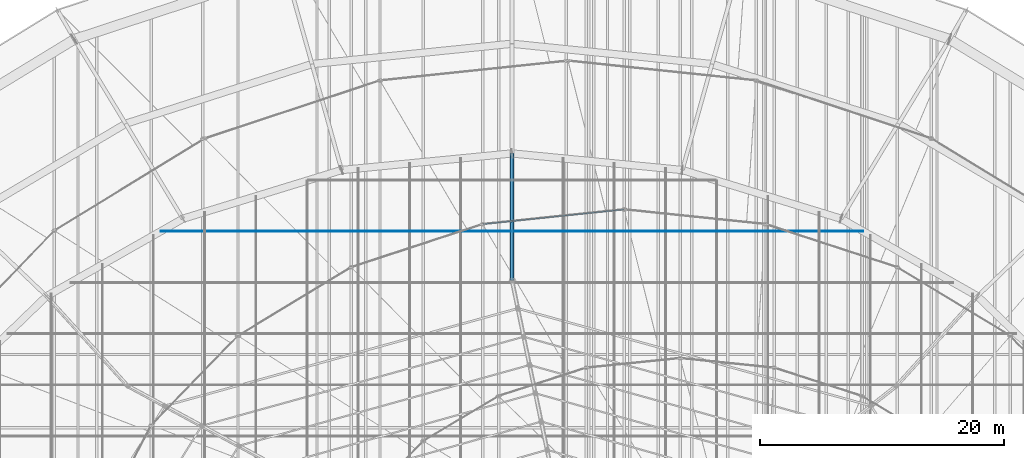
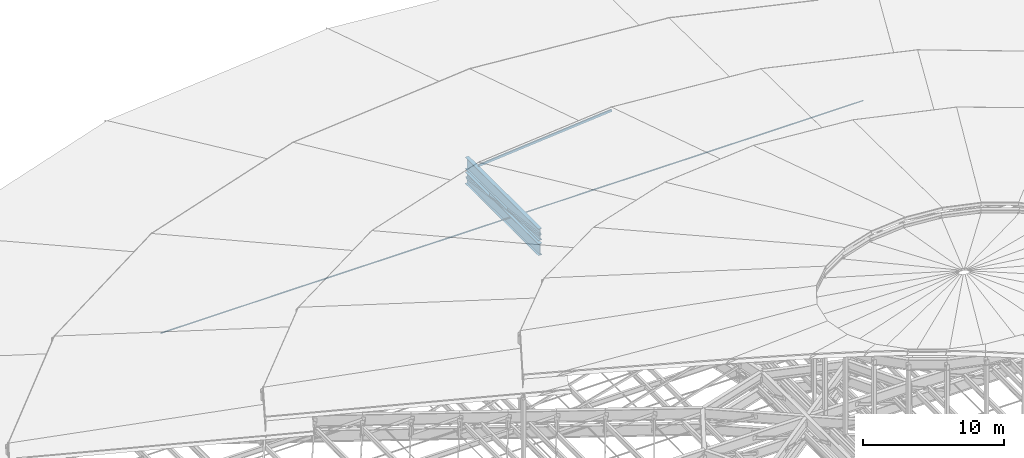
# One storey, part 117 of 184: 3 members, 2 beams.
"""IFC4 building model written with IfcOpenShell, lengths in metres."""

from ifc_helpers import new_model, si_unit, direction, frame, origin, origin_2d, place, context, subcontext, project, spatial, hollow_rectangle, circle, i_section, extrude, material, material_profile, profile_set, type_object, element, save


model = new_model("IFC4")

# Units and contexts
model_context = context("Model", 3, precision=1e-05, world=origin(), true_north=direction((0.0, 1.0)))
body_context = subcontext(model_context, "Body", "Model", "MODEL_VIEW")
ifc_project = project(units=[si_unit("LENGTHUNIT", "METRE"), si_unit("AREAUNIT", "SQUARE_METRE"), si_unit("VOLUMEUNIT", "CUBIC_METRE"), si_unit("PLANEANGLEUNIT", "RADIAN"), si_unit("MASSUNIT", "GRAM", prefix="KILO")], contexts=[model_context])

# Site, building, storey
site_placement = place(None, origin())
site = spatial("IfcSite", under=ifc_project, at=site_placement, CompositionType="ELEMENT")
building_placement = place(site_placement, origin())
building = spatial("IfcBuilding", under=site, at=building_placement, Name="Kalgoora Escarpment Arena", CompositionType="ELEMENT")
storey_placement = place(building_placement, frame((0.0, 0.0, 27.60009765625)))
storey = spatial("IfcBuildingStorey", under=building, at=storey_placement, Name="Roof Level", CompositionType="ELEMENT", Elevation=27.60009765625)

# Beams
ifc_material_1 = material(Name="Structural steel Grade 350 (350 MPa)", Category="steel")
ifc_material_profile_1 = material_profile(ifc_material_1, i_section(OverallWidth=0.300048828125, OverallDepth=1.010009765625, WebThickness=0.01611328125, FlangeThickness=0.030029296875, at=origin_2d()))
ifc_profile_set_1 = profile_set([ifc_material_profile_1], Name="Structural steel Grade 350 (350 MPa)")
beam_type = type_object("IfcBeamType", Name="BM-TRUSS-CHORD", PredefinedType="USERDEFINED", material=ifc_profile_set_1)
for number, where, z_axis, x_axis, name in (
    (1, (92.39990234375, 104.011962890625, -1.7001953125), (0.0, -0.999988474083, 0.004801218755), (1.0, 0.0, 0.0), "Radial ROOF TRUSS spine 3 bottom chord 1"),
    (2, (92.39990234375, 104.011962890625, -0.400146484375), (0.0, -0.999988474083, 0.004801218755), (1.0, 0.0, 0.0), "Radial ROOF TRUSS spine 3 top chord 1"),
):
    element("IfcBeam", number, at=place(storey_placement, frame(where, z_axis=z_axis, x_axis=x_axis)), inside=storey, type_object=beam_type, Name=name, ObjectType="GIRDER", PredefinedType="USERDEFINED", context=body_context, shape_type="SweptSolid", body=[
        extrude(i_section(OverallWidth=0.300048828125, OverallDepth=1.010009765625, WebThickness=0.01611328125, FlangeThickness=0.030029296875, at=origin_2d()), origin(), (0.0, 0.0, 1.0), 10.424072265625),
    ])

# Members
ifc_material_2 = material(Name="High-tensile spiral strand steel Grade 450 (350 MPa)", Category="steel")
ifc_material_profile_2 = material_profile(ifc_material_2, circle(Radius=0.035888671875, at=origin_2d()))
ifc_profile_set_2 = profile_set([ifc_material_profile_2], Name="High-tensile spiral strand steel Grade 450 (350 MPa)")
member_type_1 = type_object("IfcMemberType", Name="MEM-CABLE-72", PredefinedType="USERDEFINED", material=ifc_profile_set_2)
member_1_placement = place(storey_placement, frame((63.568603515625, 97.60009765625, -1.25), z_axis=(1.0, 0.0, 0.0), x_axis=(0.0, 1.0, 0.0)))
element("IfcMember", 3, at=member_1_placement, inside=storey, type_object=member_type_1, Name="Roof saddle hanging cable X-17", ObjectType="CABLE", PredefinedType="USERDEFINED", context=body_context, shape_type="SweptSolid", body=[
    extrude(circle(Radius=0.035888671875, at=origin_2d()), origin(), (0.0, 0.0, 1.0), 57.662841796875),
])
ifc_material_3 = material(Name="Structural steel C350 (350 MPa)", Category="steel")
ifc_material_profile_3 = material_profile(ifc_material_3, hollow_rectangle(XDim=0.10009765625, YDim=0.199951171875, WallThickness=0.009033203125, at=origin_2d()))
ifc_profile_set_3 = profile_set([ifc_material_profile_3], Name="Structural steel C350 (350 MPa)")
member_type_2 = type_object("IfcMemberType", Name="MEM-PURLIN-RHS", PredefinedType="PURLIN", material=ifc_profile_set_3)
member_2_placement = place(storey_placement, frame((101.60009765625, 99.39990234375, 3.684814453125), z_axis=(-0.994634133376, -0.103455017873, 0.0), x_axis=(0.103455017873, -0.994634133376, 0.0)))
element("IfcMember", 4, at=member_2_placement, inside=storey, type_object=member_type_2, Name="Petal RP3 eave support ring purlin S07", PredefinedType="PURLIN", context=body_context, shape_type="SweptSolid", body=[
    extrude(hollow_rectangle(XDim=0.10009765625, YDim=0.199951171875, WallThickness=0.009033203125, at=origin_2d()), origin(), (0.0, 0.0, 1.0), 11.65771484375),
])
ifc_material_4 = material(Name="Structural steel C350 (350 MPa)", Category="steel")
ifc_material_profile_4 = material_profile(ifc_material_4, hollow_rectangle(XDim=0.199951171875, YDim=0.199951171875, WallThickness=0.009033203125, at=origin_2d()))
ifc_profile_set_4 = profile_set([ifc_material_profile_4], Name="Structural steel C350 (350 MPa)")
member_type_3 = type_object("IfcMemberType", Name="MEM-TRUSS-DIAG", PredefinedType="BRACE", material=ifc_profile_set_4)
member_3_placement = place(storey_placement, frame((92.39990234375, 104.0, -1.7001953125), z_axis=(0.0, -0.991678636491, 0.128738036053), x_axis=(0.141419587774, -0.12744418613, -0.981712014603)))
element("IfcMember", 5, at=member_3_placement, inside=storey, type_object=member_type_3, Name="Radial ROOF TRUSS spine 3 web diagonal 1", PredefinedType="BRACE", context=body_context, shape_type="SweptSolid", body=[
    extrude(hollow_rectangle(XDim=0.199951171875, YDim=0.199951171875, WallThickness=0.009033203125, at=origin_2d()), origin(), (0.0, 0.0, 1.0), 10.487060546875),
])

save(model, "model.ifc")
